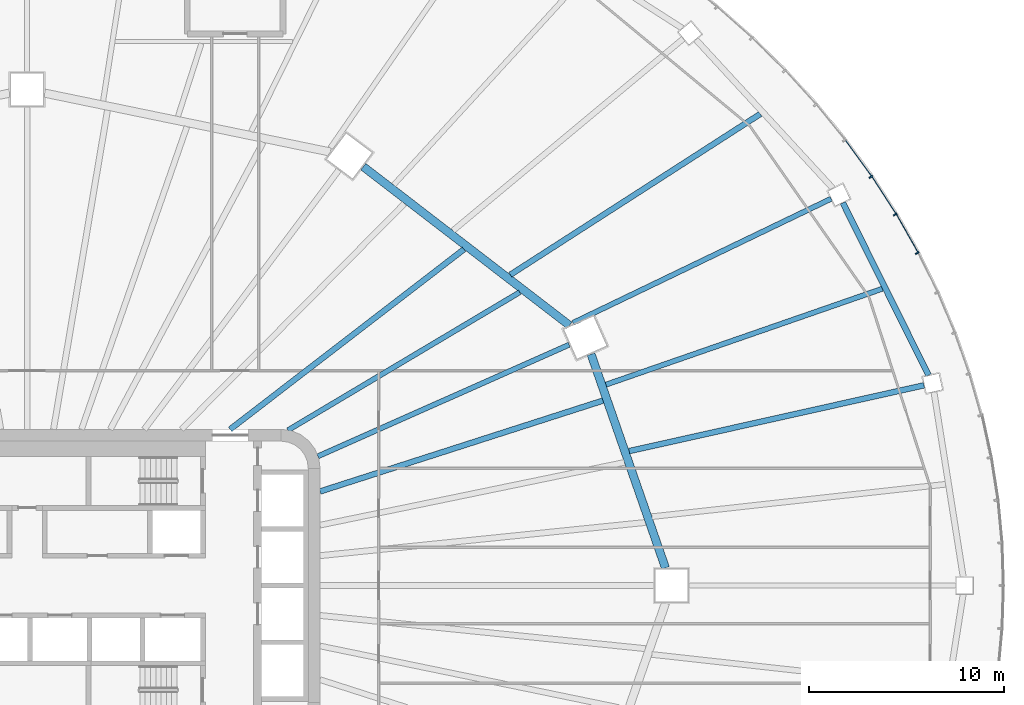
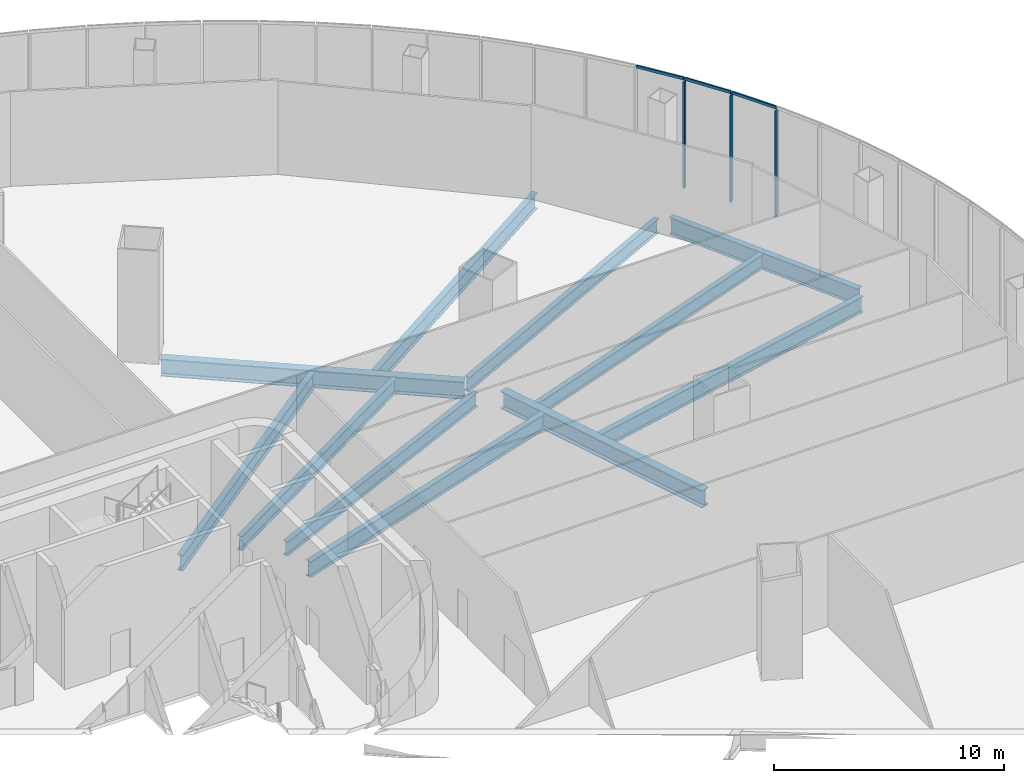
# One storey, part 11 of 37: 11 beams, 6 members, 2 elements without a shape of their own.
"""IFC4 building model written with IfcOpenShell, lengths in metres."""

from ifc_helpers import new_model, si_unit, direction, frame, origin, origin_2d, place, context, subcontext, project, spatial, rectangle, i_section, extrude, material, layer, layer_set, material_profile, profile_set, type_object, element, aggregate, save


model = new_model("IFC4")

# Units and contexts
model_context = context("Model", 3, precision=1e-05, world=origin(), true_north=direction((0.0, 1.0)))
body_context = subcontext(model_context, "Body", "Model", "MODEL_VIEW")
ifc_project = project(units=[si_unit("LENGTHUNIT", "METRE"), si_unit("AREAUNIT", "SQUARE_METRE"), si_unit("VOLUMEUNIT", "CUBIC_METRE"), si_unit("PLANEANGLEUNIT", "RADIAN"), si_unit("MASSUNIT", "GRAM", prefix="KILO")], contexts=[model_context])

# Site, building, storey
site_placement = place(None, origin())
site = spatial("IfcSite", under=ifc_project, at=site_placement, CompositionType="ELEMENT")
building_placement = place(site_placement, origin())
building = spatial("IfcBuilding", under=site, at=building_placement, Name="Sahrelin Media Tower", CompositionType="ELEMENT")
storey_placement = place(building_placement, frame((0.0, 0.0, 31.39990234375)))
storey = spatial("IfcBuildingStorey", under=building, at=storey_placement, Name="L04", CompositionType="ELEMENT", Elevation=31.39990234375)

# Curtain wall, members
ifc_material_1 = material(Name="Champagne anodised aluminium 6063-T6", Category="aluminium")
ifc_layer = layer(ifc_material_1, 0.14990234375)
ifc_layer_set = layer_set([ifc_layer], Name="Podium ribbon curtain wall")
curtain_wall_type = type_object("IfcCurtainWallType", Name="Podium ribbon curtain wall", PredefinedType="NOTDEFINED", material=ifc_layer_set)
curtain_wall_1_placement = place(storey_placement, frame((48.29638671875, 10.870361328125, 0.0), z_axis=(0.0, 0.0, 1.0), x_axis=(1.0, 0.0, 0.0)))
curtain_wall_1 = element("IfcCurtainWall", 1, at=curtain_wall_1_placement, inside=storey, type_object=curtain_wall_type, Name="L04:CW:L04-P01", PredefinedType="NOTDEFINED")
ifc_material_profile_1 = material_profile(ifc_material_1, rectangle(XDim=0.080078125, YDim=0.199951171875, at=origin_2d()), Name="Mullion 80x200")
ifc_profile_set_1 = profile_set([ifc_material_profile_1], Name="Champagne anodised aluminium 6063-T6")
member_type_1 = type_object("IfcMemberType", Name="Mullion 80x200 CW5", PredefinedType="MULLION", material=ifc_profile_set_1)
member_1_placement = place(storey_placement, frame((45.572998046875, 17.023681640625, 0.0), z_axis=(0.0, 0.0, 1.0), x_axis=(-0.493787068155, 0.869582849028, 0.0)))
member_1 = element("IfcMember", 2, at=member_1_placement, type_object=member_type_1, Name="L04:CWM4:L04-P01", PredefinedType="MULLION", context=body_context, shape_type="SweptSolid", body=[
    extrude(rectangle(XDim=0.080078125, YDim=0.199951171875, at=origin_2d()), origin(), (0.0, 0.0, 1.0), 5.650146484375),
])
member_2_placement = place(storey_placement, frame((44.449462890625, 19.00244140625, 0.0), z_axis=(0.0, 0.0, 1.0), x_axis=(-0.542830032192, 0.839842578196, 0.0)))
member_2 = element("IfcMember", 3, at=member_2_placement, type_object=member_type_1, Name="L04:CWM5:L04-P01", PredefinedType="MULLION", context=body_context, shape_type="SweptSolid", body=[
    extrude(rectangle(XDim=0.080078125, YDim=0.199951171875, at=origin_2d()), origin(), (0.0, 0.0, 1.0), 5.650146484375),
])

# Curtain wall, member
curtain_wall_2_placement = place(storey_placement, frame((43.30126953125, 21.0, 0.0), z_axis=(0.0, 0.0, 1.0), x_axis=(1.0, 0.0, 0.0)))
curtain_wall_2 = element("IfcCurtainWall", 4, at=curtain_wall_2_placement, inside=storey, type_object=curtain_wall_type, Name="L04:CW:L04-P02", PredefinedType="NOTDEFINED")
member_3_placement = place(storey_placement, frame((43.204345703125, 20.92919921875, 0.0), z_axis=(0.0, 0.0, 1.0), x_axis=(-0.589385309161, 0.807852064022, 0.0)))
member_3 = element("IfcMember", 5, at=member_3_placement, type_object=member_type_1, Name="L04:CWM1:L04-P02", PredefinedType="MULLION", context=body_context, shape_type="SweptSolid", body=[
    extrude(rectangle(XDim=0.080078125, YDim=0.199951171875, at=origin_2d()), origin(), (0.0, 0.0, 1.0), 5.650146484375),
])

# Beams
ifc_material_2 = material(Name="Steel S355", Category="steel")
ifc_material_profile_2 = material_profile(ifc_material_2, i_section(OverallWidth=0.30322265625, OverallDepth=0.903076171875, WebThickness=0.01513671875, FlangeThickness=0.020263671875, FilletRadius=0.01904296875, at=origin_2d()), Name="UB 914x305x201")
ifc_profile_set_2 = profile_set([ifc_material_profile_2], Name="Steel S355")
beam_type_1 = type_object("IfcBeamType", Name="Podium edge girder PE11", PredefinedType="BEAM", material=ifc_profile_set_2)
beam_1_placement = place(storey_placement, frame((46.158203125, 10.767822265625, -0.6513671875), z_axis=(-0.445112588569, 0.895474613541, 0.0), x_axis=(-0.895474613541, -0.445112588569, 0.0)))
element("IfcBeam", 6, at=beam_1_placement, inside=storey, type_object=beam_type_1, Name="Podium edge girder L04-02", PredefinedType="BEAM", context=body_context, shape_type="SweptSolid", body=[
    extrude(i_section(OverallWidth=0.30322265625, OverallDepth=0.903076171875, WebThickness=0.01513671875, FlangeThickness=0.020263671875, FilletRadius=0.01904296875, at=origin_2d()), origin(), (0.0, 0.0, 1.0), 9.859619140625),
])
ifc_material_profile_3 = material_profile(ifc_material_2, i_section(OverallWidth=0.41845703125, OverallDepth=0.911865234375, WebThickness=0.019287109375, FlangeThickness=0.031982421875, FilletRadius=0.024169921875, at=origin_2d()), Name="UB 914x419x343")
ifc_profile_set_3 = profile_set([ifc_material_profile_3], Name="Steel S355")
beam_type_2 = type_object("IfcBeamType", Name="Podium ring girder PG12", PredefinedType="BEAM", material=ifc_profile_set_3)
beam_2_placement = place(storey_placement, frame((32.686767578125, 0.89990234375, -0.65576171875), z_axis=(-0.328773851324, 0.944408679908, 0.0), x_axis=(-0.944408679908, -0.328773851324, 0.0)))
element("IfcBeam", 7, at=beam_2_placement, inside=storey, type_object=beam_type_2, Name="Podium girder L04-01", PredefinedType="BEAM", context=body_context, shape_type="SweptSolid", body=[
    extrude(i_section(OverallWidth=0.41845703125, OverallDepth=0.911865234375, WebThickness=0.019287109375, FlangeThickness=0.031982421875, FilletRadius=0.024169921875, at=origin_2d()), origin(), (0.0, 0.0, 1.0), 11.591552734375),
])
beam_3_placement = place(storey_placement, frame((27.767578125, 13.324462890625, -0.65576171875), z_axis=(-0.792445416108, 0.609942835428, 0.0), x_axis=(-0.609942835428, -0.792445416108, 0.0)))
element("IfcBeam", 8, at=beam_3_placement, inside=storey, type_object=beam_type_2, Name="Podium girder L04-02", PredefinedType="BEAM", context=body_context, shape_type="SweptSolid", body=[
    extrude(i_section(OverallWidth=0.41845703125, OverallDepth=0.911865234375, WebThickness=0.019287109375, FlangeThickness=0.031982421875, FilletRadius=0.024169921875, at=origin_2d()), origin(), (0.0, 0.0, 1.0), 13.318603515625),
])
ifc_material_profile_4 = material_profile(ifc_material_2, i_section(OverallWidth=0.291748046875, OverallDepth=0.8349609375, WebThickness=0.013916015625, FlangeThickness=0.018798828125, FilletRadius=0.017822265625, at=origin_2d()), Name="UB 838x292x176")
ifc_profile_set_4 = profile_set([ifc_material_profile_4], Name="Steel S355")
beam_type_3 = type_object("IfcBeamType", Name="Radial primary beam PB10", PredefinedType="BEAM", material=ifc_profile_set_4)
beam_4_placement = place(storey_placement, frame((10.393798828125, 8.0, -0.6171875), z_axis=(0.79244196099, 0.609947324335, 0.0), x_axis=(-0.609947324335, 0.79244196099, 0.0)))
element("IfcBeam", 9, at=beam_4_placement, inside=storey, type_object=beam_type_3, Name="Radial beam L04-04", PredefinedType="BEAM", context=body_context, shape_type="SweptSolid", body=[
    extrude(i_section(OverallWidth=0.291748046875, OverallDepth=0.8349609375, WebThickness=0.013916015625, FlangeThickness=0.018798828125, FilletRadius=0.017822265625, at=origin_2d()), origin(), (0.0, 0.0, 1.0), 15.1103515625),
])
beam_5_placement = place(storey_placement, frame((30.825439453125, 6.883056640625, -0.6171875), z_axis=(0.975966755314, 0.217919463385, 0.0), x_axis=(-0.217919463385, 0.975966755314, 0.0)))
element("IfcBeam", 10, at=beam_5_placement, inside=storey, type_object=beam_type_3, Name="Radial beam L04-02", PredefinedType="BEAM", context=body_context, shape_type="SweptSolid", body=[
    extrude(i_section(OverallWidth=0.291748046875, OverallDepth=0.8349609375, WebThickness=0.013916015625, FlangeThickness=0.018798828125, FilletRadius=0.017822265625, at=origin_2d()), origin(), (0.0, 0.0, 1.0), 15.4716796875),
])
ifc_material_profile_5 = material_profile(ifc_material_2, i_section(OverallWidth=0.26513671875, OverallDepth=0.75390625, WebThickness=0.0126953125, FlangeThickness=0.017578125, FilletRadius=0.0166015625, at=origin_2d()), Name="UB 762x267x147")
ifc_profile_set_5 = profile_set([ifc_material_profile_5], Name="Steel S355")
beam_type_4 = type_object("IfcBeamType", Name="Radial primary beam PB9", PredefinedType="BEAM", material=ifc_profile_set_5)
beam_6_placement = place(storey_placement, frame((14.890625, 6.6171875, -0.576904296875), z_axis=(0.913833000058, 0.406090196883, 0.0), x_axis=(-0.406090196883, 0.913833000058, 0.0)))
element("IfcBeam", 11, at=beam_6_placement, inside=storey, type_object=beam_type_4, Name="Radial beam L04-03", PredefinedType="BEAM", context=body_context, shape_type="SweptSolid", body=[
    extrude(i_section(OverallWidth=0.26513671875, OverallDepth=0.75390625, WebThickness=0.0126953125, FlangeThickness=0.017578125, FilletRadius=0.0166015625, at=origin_2d()), origin(), (0.0, 0.0, 1.0), 14.078857421875),
])
beam_7_placement = place(storey_placement, frame((27.950439453125, 13.44775390625, -0.576904296875), z_axis=(0.901130102072, 0.433548773657, 0.0), x_axis=(-0.433548773657, 0.901130102072, 0.0)))
element("IfcBeam", 12, at=beam_7_placement, inside=storey, type_object=beam_type_4, Name="Radial beam L04-03", PredefinedType="BEAM", context=body_context, shape_type="SweptSolid", body=[
    extrude(i_section(OverallWidth=0.26513671875, OverallDepth=0.75390625, WebThickness=0.0126953125, FlangeThickness=0.017578125, FilletRadius=0.0166015625, at=origin_2d()), origin(), (0.0, 0.0, 1.0), 14.6630859375),
])
ifc_material_profile_6 = material_profile(ifc_material_2, i_section(OverallWidth=0.291748046875, OverallDepth=0.8349609375, WebThickness=0.013916015625, FlangeThickness=0.018798828125, FilletRadius=0.017822265625, at=origin_2d()), Name="UB 838x292x176")
ifc_profile_set_6 = profile_set([ifc_material_profile_6], Name="Steel S355")
beam_type_5 = type_object("IfcBeamType", Name="Radial secondary beam SB10", PredefinedType="BEAM", material=ifc_profile_set_6)
beam_8_placement = place(storey_placement, frame((15.0, 4.81787109375, -0.6171875), z_axis=(0.952096340592, 0.305798231244, 0.0), x_axis=(-0.305798231244, 0.952096340592, 0.0)))
element("IfcBeam", 13, at=beam_8_placement, inside=storey, type_object=beam_type_5, Name="Secondary beam L04-02", PredefinedType="BEAM", context=body_context, shape_type="SweptSolid", body=[
    extrude(i_section(OverallWidth=0.291748046875, OverallDepth=0.8349609375, WebThickness=0.013916015625, FlangeThickness=0.018798828125, FilletRadius=0.017822265625, at=origin_2d()), origin(), (0.0, 0.0, 1.0), 15.210693359375),
])
beam_9_placement = place(storey_placement, frame((24.744140625, 15.91552734375, -0.6171875), z_axis=(0.84104292767, 0.540968385228, 0.0), x_axis=(-0.540968385228, 0.84104292767, 0.0)))
element("IfcBeam", 14, at=beam_9_placement, inside=storey, type_object=beam_type_5, Name="Secondary beam L04-03", PredefinedType="BEAM", context=body_context, shape_type="SweptSolid", body=[
    extrude(i_section(OverallWidth=0.291748046875, OverallDepth=0.8349609375, WebThickness=0.013916015625, FlangeThickness=0.018798828125, FilletRadius=0.017822265625, at=origin_2d()), origin(), (0.0, 0.0, 1.0), 15.218505859375),
])
ifc_material_profile_7 = material_profile(ifc_material_2, i_section(OverallWidth=0.26513671875, OverallDepth=0.75390625, WebThickness=0.0126953125, FlangeThickness=0.017578125, FilletRadius=0.0166015625, at=origin_2d()), Name="UB 762x267x147")
ifc_profile_set_7 = profile_set([ifc_material_profile_7], Name="Steel S355")
beam_type_6 = type_object("IfcBeamType", Name="Radial secondary beam SB9", PredefinedType="BEAM", material=ifc_profile_set_7)
beam_10_placement = place(storey_placement, frame((13.356201171875, 7.953125, -0.576904296875), z_axis=(0.859199265621, 0.511641106594, 0.0), x_axis=(-0.511641106594, 0.859199265621, 0.0)))
element("IfcBeam", 15, at=beam_10_placement, inside=storey, type_object=beam_type_6, Name="Secondary beam L04-03", PredefinedType="BEAM", context=body_context, shape_type="SweptSolid", body=[
    extrude(i_section(OverallWidth=0.26513671875, OverallDepth=0.75390625, WebThickness=0.0126953125, FlangeThickness=0.017578125, FilletRadius=0.0166015625, at=origin_2d()), origin(), (0.0, 0.0, 1.0), 13.810791015625),
])
beam_11_placement = place(storey_placement, frame((29.640380859375, 10.287109375, -0.576904296875), z_axis=(0.944713020182, 0.32789832189, 0.0), x_axis=(-0.32789832189, 0.944713020182, 0.0)))
element("IfcBeam", 16, at=beam_11_placement, inside=storey, type_object=beam_type_6, Name="Secondary beam L04-02", PredefinedType="BEAM", context=body_context, shape_type="SweptSolid", body=[
    extrude(i_section(OverallWidth=0.26513671875, OverallDepth=0.75390625, WebThickness=0.0126953125, FlangeThickness=0.017578125, FilletRadius=0.0166015625, at=origin_2d()), origin(), (0.0, 0.0, 1.0), 14.974609375),
])

# Member
ifc_material_profile_8 = material_profile(ifc_material_1, rectangle(XDim=0.06005859375, YDim=0.14990234375, at=origin_2d()), Name="Transom 60x150")
ifc_profile_set_8 = profile_set([ifc_material_profile_8], Name="Champagne anodised aluminium 6063-T6")
member_type_2 = type_object("IfcMemberType", Name="Transom 60x150 CW5", PredefinedType="USERDEFINED", material=ifc_profile_set_8)
member_4_placement = place(storey_placement, frame((45.609130859375, 17.101806640625, 5.72509765625), z_axis=(-0.493793305481, 0.869579307172, 0.0), x_axis=(-0.869579307172, -0.493793305481, 0.0)))
member_4 = element("IfcMember", 17, at=member_4_placement, type_object=member_type_2, Name="L04:CWT4a:L04-P01", ObjectType="TRANSOM", PredefinedType="USERDEFINED", context=body_context, shape_type="SweptSolid", body=[
    extrude(rectangle(XDim=0.06005859375, YDim=0.14990234375, at=origin_2d()), origin(), (0.0, 0.0, 1.0), 2.232421875),
])

member_5_placement = place(storey_placement, frame((44.481201171875, 19.08251953125, 5.72509765625), z_axis=(-0.542855461476, 0.8398261415, 0.0), x_axis=(-0.8398261415, -0.542855461476, 0.0)))
member_5 = element("IfcMember", 18, at=member_5_placement, type_object=member_type_2, Name="L04:CWT5a:L04-P01", ObjectType="TRANSOM", PredefinedType="USERDEFINED", context=body_context, shape_type="SweptSolid", body=[
    extrude(rectangle(XDim=0.06005859375, YDim=0.14990234375, at=origin_2d()), origin(), (0.0, 0.0, 1.0), 2.2509765625),
])

aggregate(curtain_wall_1, [member_1, member_4, member_2, member_5])

member_6_placement = place(storey_placement, frame((43.2314453125, 21.010986328125, 5.72509765625), z_axis=(-0.589436833423, 0.807814470906, 0.0), x_axis=(-0.807814470906, -0.589436833423, 0.0)))
member_6 = element("IfcMember", 19, at=member_6_placement, type_object=member_type_2, Name="L04:CWT1a:L04-P02", ObjectType="TRANSOM", PredefinedType="USERDEFINED", context=body_context, shape_type="SweptSolid", body=[
    extrude(rectangle(XDim=0.06005859375, YDim=0.14990234375, at=origin_2d()), origin(), (0.0, 0.0, 1.0), 2.2705078125),
])

aggregate(curtain_wall_2, [member_3, member_6])

save(model, "model.ifc")
